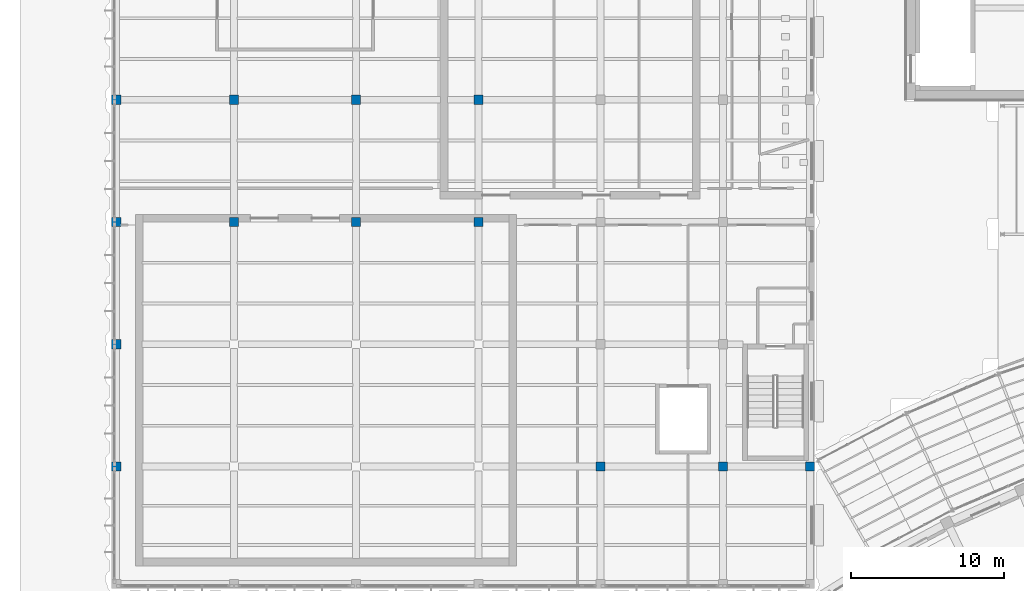
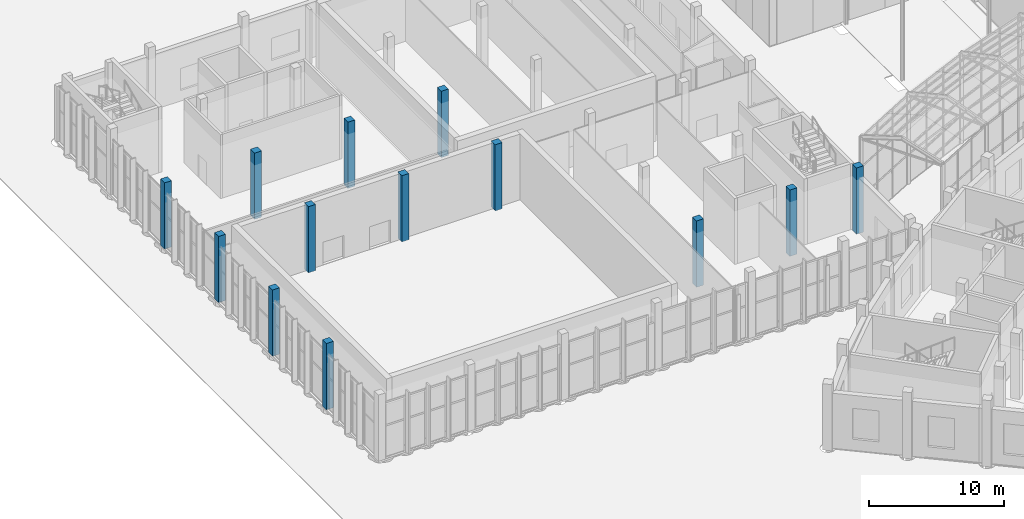
# One storey, part 7 of 155: 13 columns.
"""IFC4 building model written with IfcOpenShell, lengths in metres."""

from ifc_helpers import new_model, si_unit, direction, frame, origin, origin_2d, place, context, subcontext, project, spatial, rectangle, extrude, material, material_profile, profile_set, type_object, element, save


model = new_model("IFC4")

# Units and contexts
model_context = context("Model", 3, precision=1e-05, world=origin(), true_north=direction((0.0, 1.0)))
body_context = subcontext(model_context, "Body", "Model", "MODEL_VIEW")
ifc_project = project(units=[si_unit("LENGTHUNIT", "METRE"), si_unit("AREAUNIT", "SQUARE_METRE"), si_unit("VOLUMEUNIT", "CUBIC_METRE"), si_unit("PLANEANGLEUNIT", "RADIAN"), si_unit("MASSUNIT", "GRAM", prefix="KILO")], contexts=[model_context])

# Site, building, storey
site_placement = place(None, origin())
site = spatial("IfcSite", under=ifc_project, at=site_placement, CompositionType="ELEMENT")
building_placement = place(site_placement, origin())
building = spatial("IfcBuilding", under=site, at=building_placement, Name="Lunette Opera House", CompositionType="ELEMENT")
storey_placement = place(building_placement, origin())
storey = spatial("IfcBuildingStorey", under=building, at=storey_placement, Name="L00", CompositionType="ELEMENT", Elevation=0.0)

# Columns
ifc_material = material(Name="Concrete C35/45", Category="concrete")
ifc_material_profile = material_profile(ifc_material, rectangle(XDim=0.60009765625, YDim=0.60009765625, at=origin_2d()), Name="RC COLUMN 600X600")
ifc_profile_set = profile_set([ifc_material_profile], Name="Concrete C35/45")
column_type = type_object("IfcColumnType", Name="RC COLUMN 600X600", PredefinedType="COLUMN", material=ifc_profile_set)
for number, where, z_axis, x_axis, name in (
    (1, (8.300048828125, 72.0, 0.0), (0.0, 0.0, 1.0), (1.0, 0.0, 0.0), "col-RW-L00-C01"),
    (2, (8.300048828125, 80.0, 0.0), (0.0, 0.0, 1.0), (1.0, 0.0, 0.0), "col-RW-L00-C02"),
    (3, (8.300048828125, 88.0, 0.0), (0.0, 0.0, 1.0), (1.0, 0.0, 0.0), "col-RW-L00-C03"),
    (4, (8.300048828125, 96.0, 0.0), (0.0, 0.0, 1.0), (1.0, 0.0, 0.0), "col-RW-L00-C04"),
    (5, (16.0, 88.0, 0.0), (0.0, 0.0, 1.0), (1.0, 0.0, 0.0), "col-RW-L00-C13"),
    (6, (16.0, 96.0, 0.0), (0.0, 0.0, 1.0), (1.0, 0.0, 0.0), "col-RW-L00-C14"),
    (7, (24.0, 88.0, 0.0), (0.0, 0.0, 1.0), (1.0, 0.0, 0.0), "col-RW-L00-C23"),
    (8, (24.0, 96.0, 0.0), (0.0, 0.0, 1.0), (1.0, 0.0, 0.0), "col-RW-L00-C24"),
    (9, (32.0, 88.0, 0.0), (0.0, 0.0, 1.0), (1.0, 0.0, 0.0), "col-RW-L00-C33"),
    (10, (32.0, 96.0, 0.0), (0.0, 0.0, 1.0), (1.0, 0.0, 0.0), "col-RW-L00-C34"),
    (11, (40.0, 72.0, 0.0), (0.0, 0.0, 1.0), (1.0, 0.0, 0.0), "col-RW-L00-C41"),
    (12, (48.0, 72.0, 0.0), (0.0, 0.0, 1.0), (1.0, 0.0, 0.0), "col-RW-L00-C51"),
    (13, (53.699951171875, 72.0, 0.0), (0.0, 0.0, 1.0), (1.0, 0.0, 0.0), "col-RW-L00-C61"),
):
    element("IfcColumn", number, at=place(storey_placement, frame(where, z_axis=z_axis, x_axis=x_axis)), inside=storey, type_object=column_type, Name=name, PredefinedType="COLUMN", context=body_context, shape_type="SweptSolid", body=[
        extrude(rectangle(XDim=0.60009765625, YDim=0.60009765625, at=origin_2d()), origin(), (0.0, 0.0, 1.0), 6.0),
    ])

save(model, "model.ifc")
